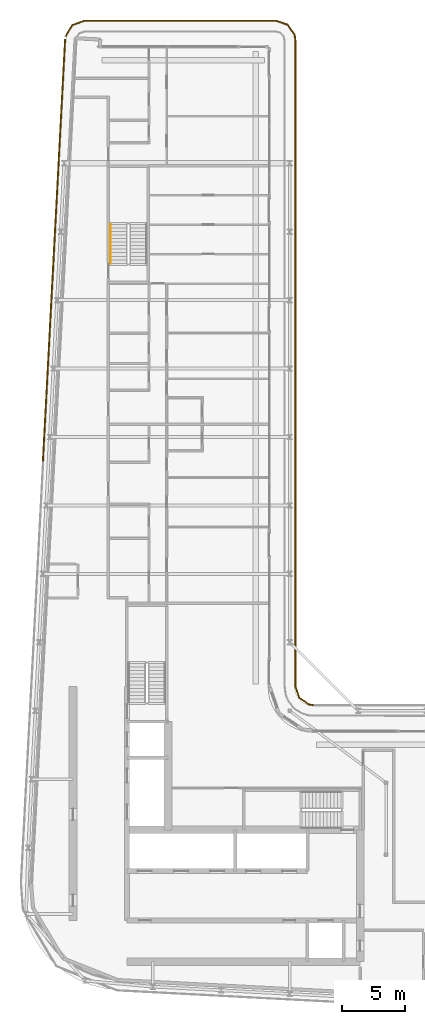
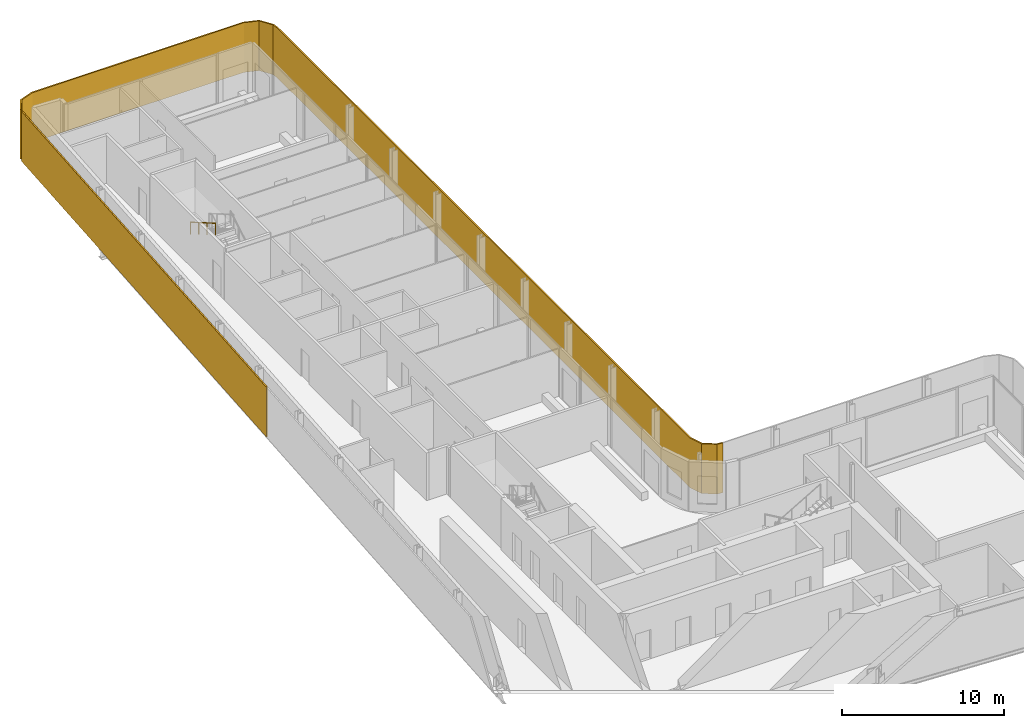
# One storey, part 18 of 20: 2 shading devices, 1 railing.
"""IFC4 building model written with IfcOpenShell, lengths in metres."""

import ifcopenshell
import ifcopenshell.guid

model = None  # the IFC model being written
_history = None  # IfcOwnerHistory: only IFC2X3 demands one
_inside = {}  # id of a spatial element -> (the spatial element, [elements in it])
_under = {}  # id of a project, library or spatial element -> (it, [spatial elements below it])
_declared = {}  # id of a project -> (the project, [libraries it declares])
_typed = {}  # id of a type object -> (the type object, [elements of that type])
_made_of = {}  # id of a material, layer set ... -> (it, [elements and type objects made of it])


def new_model(schema):
    """Start an empty IFC model of exactly this schema.

    Asked for "IFC4X3", IfcOpenShell would pick the latest addendum, in which some entities
    have other attributes; the version numbers below select the first issue.
    IFC2X3 requires an IfcOwnerHistory on every rooted entity: one is made here for all.
    """
    global model, _history
    if schema == "IFC4X3":
        model = ifcopenshell.file(schema_version=(4, 3, 0, 0))
    else:
        model = ifcopenshell.file(schema=schema)
    _inside.clear()
    _under.clear()
    _declared.clear()
    _typed.clear()
    _made_of.clear()
    _history = None
    if model.schema == "IFC2X3":
        org = make("IfcOrganization", Name="unknown")
        user = make(
            "IfcPersonAndOrganization",
            ThePerson=make("IfcPerson", FamilyName="unknown"),
            TheOrganization=org,
        )
        app = make(
            "IfcApplication",
            ApplicationDeveloper=org,
            Version="unknown",
            ApplicationFullName="unknown",
            ApplicationIdentifier="unknown",
        )
        _history = make(
            "IfcOwnerHistory",
            OwningUser=user,
            OwningApplication=app,
            ChangeAction="ADDED",
            CreationDate=0,
        )
    return model


def make(cls, **values):
    """One entity of the class cls with the attributes given. An attribute that is None is left unset."""
    return model.create_entity(
        cls, **{name: value for name, value in values.items() if value is not None}
    )


def rooted(cls, **values):
    """An entity with a GlobalId (a new one), such as an element, a storey or a relation."""
    return make(cls, GlobalId=ifcopenshell.guid.new(), OwnerHistory=_history, **values)


def si_unit(unit_type, name, prefix=None):
    """IfcSIUnit, for example si_unit("LENGTHUNIT", "METRE", prefix="MILLI")."""
    return make("IfcSIUnit", UnitType=unit_type, Prefix=prefix, Name=name)


def assignment(units):
    """IfcUnitAssignment: the units of a project."""
    return None if units is None else make("IfcUnitAssignment", Units=units)


def point(xyz):
    """IfcCartesianPoint."""
    return None if xyz is None else make("IfcCartesianPoint", Coordinates=xyz)


def direction(xyz):
    """IfcDirection."""
    return None if xyz is None else make("IfcDirection", DirectionRatios=xyz)


def frame(location, z_axis=None, x_axis=None):
    """IfcAxis2Placement3D, a coordinate frame: its origin and axes. An axis left out is left unset."""
    return make(
        "IfcAxis2Placement3D",
        Location=point(location),
        Axis=direction(z_axis),
        RefDirection=direction(x_axis),
    )


def frame_2d(location, x_axis=None):
    """IfcAxis2Placement2D, a coordinate frame in the plane: its origin and x axis."""
    return make(
        "IfcAxis2Placement2D", Location=point(location), RefDirection=direction(x_axis)
    )


def origin():
    """The frame at (0, 0, 0) with its axes left unset."""
    return frame((0.0, 0.0, 0.0))


def origin_2d():
    """The frame at (0, 0) in the plane with its x axis left unset."""
    return frame_2d((0.0, 0.0))


def place(relative_to, where):
    """IfcLocalPlacement: puts the frame where relative to a parent placement (None: the world)."""
    return make(
        "IfcLocalPlacement", PlacementRelTo=relative_to, RelativePlacement=where
    )


def context(
    kind, dimensions, precision=None, world=None, true_north=None, identifier=None
):
    """IfcGeometricRepresentationContext, for example the 3D "Model" context."""
    return make(
        "IfcGeometricRepresentationContext",
        ContextIdentifier=identifier,
        ContextType=kind,
        CoordinateSpaceDimension=dimensions,
        Precision=precision,
        WorldCoordinateSystem=world,
        TrueNorth=true_north,
    )


def subcontext(parent, identifier, kind, view, scale=None):
    """IfcGeometricRepresentationSubContext, for example "Body" below "Model"."""
    return make(
        "IfcGeometricRepresentationSubContext",
        ContextIdentifier=identifier,
        ContextType=kind,
        ParentContext=parent,
        TargetScale=scale,
        TargetView=view,
    )


def project(units=None, contexts=None):
    """IfcProject with its units and contexts."""
    return rooted(
        "IfcProject",
        Name="project",
        RepresentationContexts=contexts,
        UnitsInContext=assignment(units),
    )


def spatial(cls, under=None, at=None, **own):
    """A site, building, storey or space (cls), placed at a placement, below another one or the project."""
    s = rooted(cls, ObjectPlacement=at, **own)
    if under is not None:
        _under.setdefault(under.id(), (under, []))[1].append(s)
    return s


def polyline(points):
    """IfcPolyline through the points."""
    return make("IfcPolyline", Points=[point(p) for p in points])


def profile(cls, at=None, kind="AREA", **sizes):
    """A parametric profile (cls). Its sizes go by their IFC names, for example OverallWidth=200.0."""
    return make(cls, ProfileType=kind, Position=at, **sizes)


def rectangle(**sizes):
    """IfcRectangleProfileDef."""
    return profile("IfcRectangleProfileDef", **sizes)


def circle(**sizes):
    """IfcCircleProfileDef."""
    return profile("IfcCircleProfileDef", **sizes)


def outline(outer, holes=None, kind="AREA"):
    """IfcArbitraryClosedProfileDef: a profile drawn as a closed curve; with holes, ...WithVoids."""
    if holes is None:
        return make("IfcArbitraryClosedProfileDef", ProfileType=kind, OuterCurve=outer)
    return make(
        "IfcArbitraryProfileDefWithVoids",
        ProfileType=kind,
        OuterCurve=outer,
        InnerCurves=holes,
    )


def extrude(swept, where, along, depth):
    """IfcExtrudedAreaSolid: the profile swept, set in the frame where, extruded along a direction by depth."""
    return make(
        "IfcExtrudedAreaSolid",
        SweptArea=swept,
        Position=where,
        ExtrudedDirection=direction(along),
        Depth=depth,
    )


def shape(context_of_items, identifier, shape_type, items):
    """IfcShapeRepresentation: the items that make up one representation, for example the "Body"."""
    return make(
        "IfcShapeRepresentation",
        ContextOfItems=context_of_items,
        RepresentationIdentifier=identifier,
        RepresentationType=shape_type,
        Items=items,
    )


def material(Name=None, Category=None):
    """IfcMaterial."""
    return make("IfcMaterial", Name=Name, Category=Category)


def layer(
    of_material, thickness, ventilated=None, Name=None, Category=None, Priority=None
):
    """IfcMaterialLayer: one layer of a wall or slab, of a material (None: an air gap)."""
    return make(
        "IfcMaterialLayer",
        Material=of_material,
        LayerThickness=thickness,
        IsVentilated=ventilated,
        Name=Name,
        Category=Category,
        Priority=Priority,
    )


def layer_set(layers, Name=None):
    """IfcMaterialLayerSet."""
    return make("IfcMaterialLayerSet", MaterialLayers=layers, LayerSetName=Name)


def made_of(thing, what):
    """Note that an element or type object is made of a material, layer set ...; save() writes the relation."""
    if what is not None:
        _made_of.setdefault(what.id(), (what, []))[1].append(thing)
    return thing


def type_object(cls, material=None, **own):
    """A type object (cls), such as IfcWallType, which elements share."""
    return made_of(rooted(cls, **own), material)


def element(
    cls,
    number,
    at=None,
    inside=None,
    cuts=None,
    type_object=None,
    material=None,
    context=None,
    identifier="Body",
    shape_type=None,
    held_by="IfcProductDefinitionShape",
    body=None,
    shapes=None,
    **own,
):
    """One element of the class cls, such as IfcWall. Its Tag is "e" and its number.

    at: its placement. inside: the storey or other place that contains it. cuts: it is an
    opening in that element (IfcRelVoidsElement). A single representation is given by context,
    identifier, shape_type and body (its items); several are given by shapes. held_by: the class
    of the entity that holds the representations. save() writes the other relations.
    """
    e = rooted(cls, Tag="e%d" % number, ObjectPlacement=at, **own)
    if body is not None:
        shapes = [shape(context, identifier, shape_type, body)]
    if shapes is not None:
        e.Representation = make(held_by, Representations=shapes)
    if inside is not None:
        _inside.setdefault(inside.id(), (inside, []))[1].append(e)
    if cuts is not None:
        rooted(
            "IfcRelVoidsElement", RelatingBuildingElement=cuts, RelatedOpeningElement=e
        )
    if type_object is not None:
        _typed.setdefault(type_object.id(), (type_object, []))[1].append(e)
    return made_of(e, material)


def aggregate(whole, parts):
    """IfcRelAggregates: a whole, such as a stair, and the parts it consists of."""
    return rooted("IfcRelAggregates", RelatingObject=whole, RelatedObjects=parts)


def save(model, path):
    """Write the relations noted so far, then the file.

    IfcRelAggregates (storeys below a building ...), IfcRelContainedInSpatialStructure (elements
    in a storey), IfcRelDefinesByType, IfcRelAssociatesMaterial and IfcRelDeclares: one each for
    every whole, place, type object, material and project.
    """
    for whole, parts in _under.values():
        aggregate(whole, parts)
    for where, things in _inside.values():
        rooted(
            "IfcRelContainedInSpatialStructure",
            RelatedElements=things,
            RelatingStructure=where,
        )
    for kind, things in _typed.values():
        rooted("IfcRelDefinesByType", RelatedObjects=things, RelatingType=kind)
    for what, things in _made_of.values():
        rooted("IfcRelAssociatesMaterial", RelatedObjects=things, RelatingMaterial=what)
    for by, libraries in _declared.values():
        rooted("IfcRelDeclares", RelatingContext=by, RelatedDefinitions=libraries)
    model.write(path)


model = new_model("IFC4")

# Units and contexts
model_context = context("Model", 3, precision=1e-05, world=origin(), true_north=direction((0.0, 1.0)))
body_context = subcontext(model_context, "Body", "Model", "MODEL_VIEW")
ifc_project = project(units=[si_unit("LENGTHUNIT", "METRE"), si_unit("AREAUNIT", "SQUARE_METRE"), si_unit("VOLUMEUNIT", "CUBIC_METRE"), si_unit("PLANEANGLEUNIT", "RADIAN"), si_unit("MASSUNIT", "GRAM", prefix="KILO")], contexts=[model_context])

# Site, building, storey
site_placement = place(None, origin())
site = spatial("IfcSite", under=ifc_project, at=site_placement, CompositionType="ELEMENT")
building_placement = place(site_placement, origin())
building = spatial("IfcBuilding", under=site, at=building_placement, Name="Kheshtan School and Residences Tower", CompositionType="ELEMENT")
storey_placement = place(building_placement, frame((0.0, 0.0, 286.39990234375)))
storey = spatial("IfcBuildingStorey", under=building, at=storey_placement, Name="L67", CompositionType="ELEMENT", Elevation=286.39990234375)

# Shading devices
ifc_material_1 = material(Name="Terracotta baguette, extruded ceramic", Category="masonry")
ifc_layer_1 = layer(ifc_material_1, 0.10009765625)
ifc_layer_set_1 = layer_set([ifc_layer_1], Name="Ledge screen, terracotta baguettes")
shading_device_type_1 = type_object("IfcShadingDeviceType", Name="Ledge screen, terracotta baguettes", PredefinedType="USERDEFINED", material=ifc_layer_set_1)
shading_device_1_placement = place(storey_placement, frame((28.9990234375, 81.93408203125, 0.0), z_axis=(0.0, 0.0, 1.0), x_axis=(0.052562536748, 0.998617634398, 0.0)))
element("IfcShadingDevice", 1, at=shading_device_1_placement, inside=storey, type_object=shading_device_type_1, Name="Screen L67 5", ObjectType="BAGUETTE", PredefinedType="USERDEFINED", context=body_context, shape_type="SweptSolid", body=[
    extrude(rectangle(XDim=33.341064453125, YDim=0.10009765625, at=origin_2d()), origin(), (0.0, 0.0, 1.0), 3.75),
])
ifc_material_2 = material(Name="Terracotta lattice, extruded ceramic", Category="masonry")
ifc_layer_2 = layer(ifc_material_2, 0.10009765625)
ifc_layer_set_2 = layer_set([ifc_layer_2], Name="Loggia screen, terracotta lattice")
shading_device_type_2 = type_object("IfcShadingDeviceType", Name="Loggia screen, terracotta lattice", PredefinedType="USERDEFINED", material=ifc_layer_set_2)
shading_device_2_placement = place(storey_placement, origin())
element("IfcShadingDevice", 2, at=shading_device_2_placement, inside=storey, type_object=shading_device_type_2, Name="Screen L67 1", ObjectType="SCREEN", PredefinedType="USERDEFINED", context=body_context, shape_type="SweptSolid", body=[
    extrude(outline(polyline([(29.949951171875, 98.783935546875), (30.468017578125, 99.656982421875), (31.423095703125, 100.0), (46.5, 100.0), (47.4130859375, 99.68994140625), (47.948974609375, 98.887939453125), (48.0, 98.5), (48.0, 47.5), (48.31005859375, 46.5869140625), (49.112060546875, 46.051025390625), (49.5, 46.0), (49.512939453125, 46.09912109375), (49.14794921875, 46.14697265625), (48.39404296875, 46.65087890625), (48.10009765625, 47.51708984375), (48.10009765625, 98.507080078125), (48.044921875, 98.924072265625), (47.47705078125, 99.77392578125), (46.51708984375, 100.10009765625), (31.406005859375, 100.10009765625), (30.39990234375, 99.739013671875), (29.864013671875, 98.8349609375), (29.949951171875, 98.783935546875)])), origin(), (0.0, 0.0, 1.0), 3.75),
])

# Railing
ifc_material_3 = material(Name="Stainless steel handrail", Category="steel")
railing_type = type_object("IfcRailingType", Name="Stair handrail 900", PredefinedType="HANDRAIL", material=ifc_material_3)
railing_placement = place(storey_placement, frame((33.449951171875, 83.97998046875, 2.112548828125)))
element("IfcRailing", 3, at=railing_placement, inside=storey, type_object=railing_type, Name="L67 ST3 stair handrail 2", PredefinedType="HANDRAIL", context=body_context, shape_type="SweptSolid", body=[
    extrude(circle(Radius=0.02392578125, at=origin_2d()), frame((0.0, 0.0, 0.8759765625), z_axis=(0.0, -0.864890721111, 0.501960198159), x_axis=(1.0, 0.0, 0.0)), (0.0, 0.0, 1.0), 3.561279296875),
    extrude(circle(Radius=0.02099609375, at=origin_2d()), origin(), (0.0, 0.0, 1.0), 0.851806640625),
    extrude(circle(Radius=0.02099609375, at=origin_2d()), frame((0.0, -1.026611328125, 0.595947265625)), (0.0, 0.0, 1.0), 0.851806640625),
    extrude(circle(Radius=0.02099609375, at=origin_2d()), frame((0.0, -2.053466796875, 1.191650390625)), (0.0, 0.0, 1.0), 0.851806640625),
    extrude(circle(Radius=0.02099609375, at=origin_2d()), frame((0.0, -3.080078125, 1.78759765625)), (0.0, 0.0, 1.0), 0.851806640625),
])

save(model, "model.ifc")
